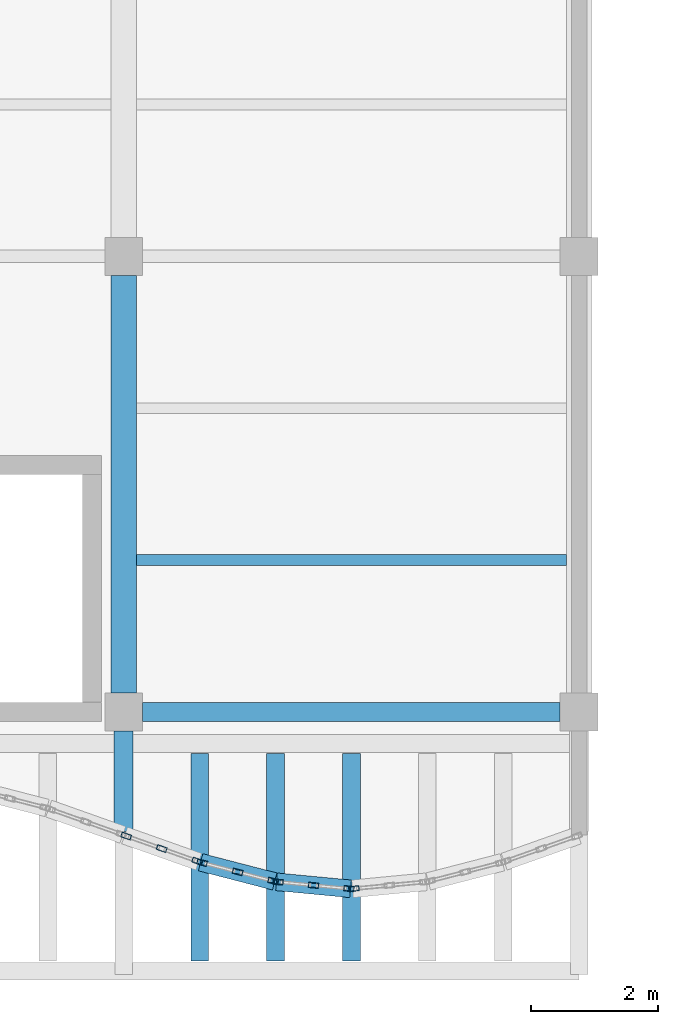
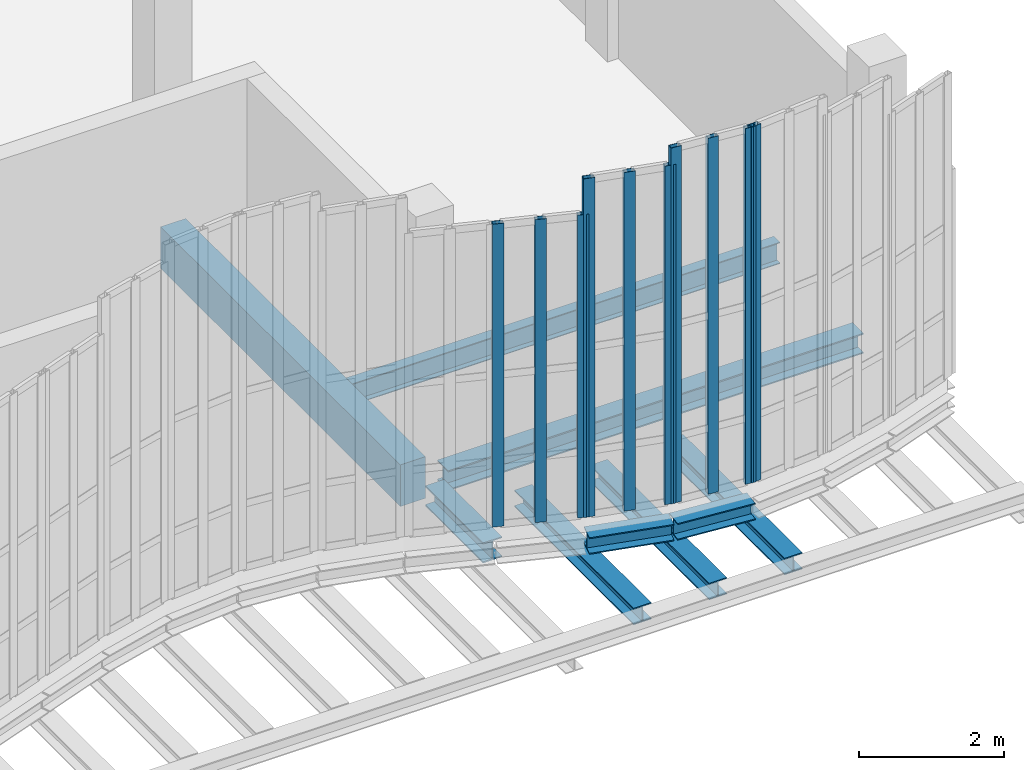
# One storey, part 25 of 76: 10 members, 9 beams, 4 elements without a shape of their own.
"""IFC4 building model written with IfcOpenShell, lengths in metres."""

from ifc_helpers import new_model, si_unit, direction, frame, origin, origin_2d, place, context, subcontext, project, spatial, rectangle, hollow_rectangle, i_section, extrude, material, layer, layer_set, material_profile, profile_set, type_object, element, aggregate, save


model = new_model("IFC4")

# Units and contexts
model_context = context("Model", 3, precision=1e-05, world=origin(), true_north=direction((0.0, 1.0)))
body_context = subcontext(model_context, "Body", "Model", "MODEL_VIEW")
ifc_project = project(units=[si_unit("LENGTHUNIT", "METRE"), si_unit("AREAUNIT", "SQUARE_METRE"), si_unit("VOLUMEUNIT", "CUBIC_METRE"), si_unit("PLANEANGLEUNIT", "RADIAN"), si_unit("MASSUNIT", "GRAM", prefix="KILO"), si_unit("THERMODYNAMICTEMPERATUREUNIT", "KELVIN"), si_unit("POWERUNIT", "WATT")], contexts=[model_context])

# Site, building, storey
site_placement = place(None, origin())
site = spatial("IfcSite", under=ifc_project, at=site_placement, CompositionType="ELEMENT")
building_placement = place(site_placement, origin())
building = spatial("IfcBuilding", under=site, at=building_placement, Name="Kaldorven Railside Theatre", CompositionType="ELEMENT")
storey_placement = place(building_placement, frame((0.0, 0.0, 14.39990234375)))
storey = spatial("IfcBuildingStorey", under=building, at=storey_placement, Name="L03", CompositionType="ELEMENT", Elevation=14.39990234375)

# Beams
ifc_material_1 = material(Name="Steel S355", Category="steel")
ifc_material_profile_1 = material_profile(ifc_material_1, i_section(OverallWidth=0.280029296875, OverallDepth=0.280029296875, WebThickness=0.010498046875, FlangeThickness=0.01806640625, at=origin_2d()), Name="HEB 280")
ifc_profile_set_1 = profile_set([ifc_material_profile_1], Name="Steel S355")
beam_type_1 = type_object("IfcBeamType", Name="BM-HEB280", PredefinedType="SPANDREL", material=ifc_profile_set_1)
beam_1_placement = place(storey_placement, frame((117.214599609375, 16.8212890625, -0.419921875), z_axis=(0.967967836725, -0.251074226206, 0.0), x_axis=(0.251074226206, 0.967967836725, 0.0)))
element("IfcBeam", 1, at=beam_1_placement, inside=storey, type_object=beam_type_1, Name="L03 Sinusoidal Flute Edge Spandrel FSB-212", PredefinedType="SPANDREL", context=body_context, shape_type="SweptSolid", body=[
    extrude(i_section(OverallWidth=0.280029296875, OverallDepth=0.280029296875, WebThickness=0.010498046875, FlangeThickness=0.01806640625, at=origin_2d()), origin(), (0.0, 0.0, 1.0), 1.209716796875),
])
beam_2_placement = place(storey_placement, frame((117.199951171875, 15.260009765625, -0.699951171875), z_axis=(0.0, 1.0, 0.0), x_axis=(-1.0, 0.0, 0.0)))
element("IfcBeam", 2, at=beam_2_placement, inside=storey, type_object=beam_type_1, Name="L03 Sinusoidal Diaphragm Rib Outrigger FOB-M212", PredefinedType="SPANDREL", context=body_context, shape_type="SweptSolid", body=[
    extrude(i_section(OverallWidth=0.280029296875, OverallDepth=0.280029296875, WebThickness=0.010498046875, FlangeThickness=0.01806640625, at=origin_2d()), origin(), (0.0, 0.0, 1.0), 3.280029296875),
])
beam_3_placement = place(storey_placement, frame((118.414794921875, 16.512451171875, -0.419921875), z_axis=(0.995526219207, -0.09448569665, 0.0), x_axis=(0.09448569665, 0.995526219207, 0.0)))
element("IfcBeam", 3, at=beam_3_placement, inside=storey, type_object=beam_type_1, Name="L03 Sinusoidal Flute Edge Spandrel FSB-213", PredefinedType="SPANDREL", context=body_context, shape_type="SweptSolid", body=[
    extrude(i_section(OverallWidth=0.280029296875, OverallDepth=0.280029296875, WebThickness=0.010498046875, FlangeThickness=0.01806640625, at=origin_2d()), origin(), (0.0, 0.0, 1.0), 1.17578125),
])
for number, where, z_axis, x_axis, name in (
    (4, (118.39990234375, 15.260009765625, -0.699951171875), (0.0, 1.0, 0.0), (-1.0, 0.0, 0.0), "L03 Sinusoidal Diaphragm Rib Outrigger FOB-M213"),
    (5, (119.60009765625, 15.260009765625, -0.699951171875), (0.0, 1.0, 0.0), (-1.0, 0.0, 0.0), "L03 Sinusoidal Diaphragm Rib Outrigger FOB-M214"),
):
    element("IfcBeam", number, at=place(storey_placement, frame(where, z_axis=z_axis, x_axis=x_axis)), inside=storey, type_object=beam_type_1, Name=name, PredefinedType="SPANDREL", context=body_context, shape_type="SweptSolid", body=[
        extrude(i_section(OverallWidth=0.280029296875, OverallDepth=0.280029296875, WebThickness=0.010498046875, FlangeThickness=0.01806640625, at=origin_2d()), origin(), (0.0, 0.0, 1.0), 3.280029296875),
    ])
ifc_material_profile_2 = material_profile(ifc_material_1, i_section(OverallWidth=0.300048828125, OverallDepth=0.340087890625, WebThickness=0.011962890625, FlangeThickness=0.021484375, at=origin_2d()), Name="HEB 340")
ifc_profile_set_2 = profile_set([ifc_material_profile_2], Name="Steel S355")
beam_type_2 = type_object("IfcBeamType", Name="BM-HEB340", PredefinedType="SPANDREL", material=ifc_profile_set_2)
beam_4_placement = place(storey_placement, frame((116.300048828125, 19.199951171875, -0.449951171875), z_axis=(1.0, 0.0, 0.0), x_axis=(0.0, 1.0, 0.0)))
element("IfcBeam", 6, at=beam_4_placement, inside=storey, type_object=beam_type_2, Name="L03 Girder BGX-L03-116-019", PredefinedType="SPANDREL", context=body_context, shape_type="SweptSolid", body=[
    extrude(i_section(OverallWidth=0.300048828125, OverallDepth=0.340087890625, WebThickness=0.011962890625, FlangeThickness=0.021484375, at=origin_2d()), origin(), (0.0, 0.0, 1.0), 6.599853515625),
])
beam_5_placement = place(storey_placement, frame((116.0, 17.31005859375, -0.449951171875), z_axis=(0.0, 1.0, 0.0), x_axis=(-1.0, 0.0, 0.0)))
element("IfcBeam", 7, at=beam_5_placement, inside=storey, type_object=beam_type_2, Name="L03 Sinusoidal Veil Outrigger FOB-3116", PredefinedType="SPANDREL", context=body_context, shape_type="SweptSolid", body=[
    extrude(i_section(OverallWidth=0.300048828125, OverallDepth=0.340087890625, WebThickness=0.011962890625, FlangeThickness=0.021484375, at=origin_2d()), origin(), (0.0, 0.0, 1.0), 1.58984375),
])
ifc_material_profile_3 = material_profile(ifc_material_1, i_section(OverallWidth=0.169921875, OverallDepth=0.360107421875, WebThickness=0.008056640625, FlangeThickness=0.0126953125, at=origin_2d()), Name="IPE 360")
ifc_profile_set_3 = profile_set([ifc_material_profile_3], Name="Steel S355")
beam_type_3 = type_object("IfcBeamType", Name="BM-IPE360", PredefinedType="JOIST", material=ifc_profile_set_3)
beam_6_placement = place(storey_placement, frame((116.199951171875, 21.60009765625, -0.4599609375), z_axis=(1.0, 0.0, 0.0), x_axis=(0.0, 1.0, 0.0)))
element("IfcBeam", 8, at=beam_6_placement, inside=storey, type_object=beam_type_3, Name="L03 Secondary Floor Joist JG-L03-116-0216", PredefinedType="JOIST", context=body_context, shape_type="SweptSolid", body=[
    extrude(i_section(OverallWidth=0.169921875, OverallDepth=0.360107421875, WebThickness=0.008056640625, FlangeThickness=0.0126953125, at=origin_2d()), origin(), (0.0, 0.0, 1.0), 6.800048828125),
])
ifc_material_2 = material(Name="Concrete C40/50", Category="concrete")
ifc_material_profile_4 = material_profile(ifc_material_2, rectangle(XDim=0.39990234375, YDim=0.699951171875, at=origin_2d()), Name="RC 400x700")
ifc_profile_set_4 = profile_set([ifc_material_profile_4], Name="Concrete C40/50")
beam_type_4 = type_object("IfcBeamType", Name="BM-RC400x700", PredefinedType="BEAM", material=ifc_profile_set_4)
beam_7_placement = place(storey_placement, frame((116.0, 19.5, -0.6298828125), z_axis=(0.0, 1.0, 0.0), x_axis=(-1.0, 0.0, 0.0)))
element("IfcBeam", 9, at=beam_7_placement, inside=storey, type_object=beam_type_4, Name="L03 Girder BGY-L03-116-019-72", PredefinedType="BEAM", context=body_context, shape_type="SweptSolid", body=[
    extrude(rectangle(XDim=0.39990234375, YDim=0.699951171875, at=origin_2d()), origin(), (0.0, 0.0, 1.0), 6.60009765625),
])

# Curtain wall, members
ifc_material_3 = material(Name="Low-E laminated solar-control glass", Category="glass")
ifc_layer_1 = layer(ifc_material_3, 0.159912109375, Name="Low-E laminated solar-control glass")
ifc_layer_set_1 = layer_set([ifc_layer_1], Name="Low-E laminated solar-control glass")
curtain_wall_type_1 = type_object("IfcCurtainWallType", Name="CWT-08", PredefinedType="USERDEFINED", material=ifc_layer_set_1)
curtain_wall_1_placement = place(storey_placement, origin())
curtain_wall_1 = element("IfcCurtainWall", 10, at=curtain_wall_1_placement, inside=storey, type_object=curtain_wall_type_1, Name="Sinusoidal Fluted Curtain Wall CW-L03-S67", ObjectType="FLUTED GLAZING", PredefinedType="USERDEFINED")
ifc_material_4 = material(Name="Anodised bronze aluminium", Category="aluminium")
ifc_material_profile_5 = material_profile(ifc_material_4, hollow_rectangle(XDim=0.080078125, YDim=0.159912109375, WallThickness=0.00634765625, at=origin_2d()), Name="RHS 160x80x6.3")
ifc_profile_set_5 = profile_set([ifc_material_profile_5], Name="Anodised bronze aluminium")
member_type = type_object("IfcMemberType", Name="CWM-160", PredefinedType="MULLION", material=ifc_profile_set_5)
member_1_placement = place(storey_placement, frame((116.03759765625, 17.236572265625, 0.0), z_axis=(0.0, 0.0, 1.0), x_axis=(0.33384714225, 0.942627225159, 0.0)))
member_1 = element("IfcMember", 11, at=member_1_placement, type_object=member_type, Name="CW-L03-S67 mullion 1", PredefinedType="MULLION", context=body_context, shape_type="SweptSolid", body=[
    extrude(hollow_rectangle(XDim=0.080078125, YDim=0.159912109375, WallThickness=0.00634765625, at=origin_2d()), origin(), (0.0, 0.0, 1.0), 5.090087890625),
])
member_2_placement = place(storey_placement, frame((116.60009765625, 17.03759765625, 0.0), z_axis=(0.0, 0.0, 1.0), x_axis=(0.33384714225, 0.942627225159, 0.0)))
member_2 = element("IfcMember", 12, at=member_2_placement, type_object=member_type, Name="CW-L03-S67 mullion 2", PredefinedType="MULLION", context=body_context, shape_type="SweptSolid", body=[
    extrude(hollow_rectangle(XDim=0.080078125, YDim=0.159912109375, WallThickness=0.00634765625, at=origin_2d()), origin(), (0.0, 0.0, 1.0), 5.090087890625),
])
member_3_placement = place(storey_placement, frame((117.162353515625, 16.83837890625, 0.0), z_axis=(0.0, 0.0, 1.0), x_axis=(0.33384714225, 0.942627225159, 0.0)))
member_3 = element("IfcMember", 13, at=member_3_placement, type_object=member_type, Name="CW-L03-S67 mullion 3", PredefinedType="MULLION", context=body_context, shape_type="SweptSolid", body=[
    extrude(hollow_rectangle(XDim=0.080078125, YDim=0.159912109375, WallThickness=0.00634765625, at=origin_2d()), origin(), (0.0, 0.0, 1.0), 5.090087890625),
])
aggregate(curtain_wall_1, [member_1, member_2, member_3])

ifc_layer_2 = layer(ifc_material_3, 0.159912109375, Name="Low-E laminated solar-control glass")
ifc_layer_set_2 = layer_set([ifc_layer_2], Name="Low-E laminated solar-control glass")
curtain_wall_type_2 = type_object("IfcCurtainWallType", Name="CWT-09", PredefinedType="USERDEFINED", material=ifc_layer_set_2)
curtain_wall_2_placement = place(storey_placement, origin())
curtain_wall_2 = element("IfcCurtainWall", 14, at=curtain_wall_2_placement, inside=storey, type_object=curtain_wall_type_2, Name="Sinusoidal Fluted Curtain Wall CW-L03-S68", ObjectType="FLUTED GLAZING", PredefinedType="USERDEFINED")
member_4_placement = place(storey_placement, frame((117.23876953125, 16.81494140625, 0.0), z_axis=(0.0, 0.0, 1.0), x_axis=(0.250953760326, 0.967999075505, 0.0)))
member_4 = element("IfcMember", 15, at=member_4_placement, type_object=member_type, Name="CW-L03-S68 mullion 1", PredefinedType="MULLION", context=body_context, shape_type="SweptSolid", body=[
    extrude(hollow_rectangle(XDim=0.080078125, YDim=0.159912109375, WallThickness=0.00634765625, at=origin_2d()), origin(), (0.0, 0.0, 1.0), 5.690185546875),
])
member_5_placement = place(storey_placement, frame((117.800048828125, 16.66943359375, 0.0), z_axis=(0.0, 0.0, 1.0), x_axis=(0.250953760326, 0.967999075505, 0.0)))
member_5 = element("IfcMember", 16, at=member_5_placement, type_object=member_type, Name="CW-L03-S68 mullion 2", PredefinedType="MULLION", context=body_context, shape_type="SweptSolid", body=[
    extrude(hollow_rectangle(XDim=0.080078125, YDim=0.159912109375, WallThickness=0.00634765625, at=origin_2d()), origin(), (0.0, 0.0, 1.0), 5.690185546875),
])
member_6_placement = place(storey_placement, frame((118.361328125, 16.52392578125, 0.0), z_axis=(0.0, 0.0, 1.0), x_axis=(0.250953760326, 0.967999075505, 0.0)))
member_6 = element("IfcMember", 17, at=member_6_placement, type_object=member_type, Name="CW-L03-S68 mullion 3", PredefinedType="MULLION", context=body_context, shape_type="SweptSolid", body=[
    extrude(hollow_rectangle(XDim=0.080078125, YDim=0.159912109375, WallThickness=0.00634765625, at=origin_2d()), origin(), (0.0, 0.0, 1.0), 5.690185546875),
])
aggregate(curtain_wall_2, [member_4, member_5, member_6])

ifc_layer_3 = layer(ifc_material_3, 0.159912109375, Name="Low-E laminated solar-control glass")
ifc_layer_set_3 = layer_set([ifc_layer_3], Name="Low-E laminated solar-control glass")
curtain_wall_type_3 = type_object("IfcCurtainWallType", Name="CWT-10", PredefinedType="USERDEFINED", material=ifc_layer_set_3)
curtain_wall_3_placement = place(storey_placement, origin())
curtain_wall_3 = element("IfcCurtainWall", 18, at=curtain_wall_3_placement, inside=storey, type_object=curtain_wall_type_3, Name="Sinusoidal Fluted Curtain Wall CW-L03-S69", ObjectType="FLUTED GLAZING", PredefinedType="USERDEFINED")
member_7_placement = place(storey_placement, frame((118.43994140625, 16.510009765625, 0.0), z_axis=(0.0, 0.0, 1.0), x_axis=(0.094491973758, 0.995525623425, 0.0)))
member_7 = element("IfcMember", 19, at=member_7_placement, type_object=member_type, Name="CW-L03-S69 mullion 1", PredefinedType="MULLION", context=body_context, shape_type="SweptSolid", body=[
    extrude(hollow_rectangle(XDim=0.080078125, YDim=0.159912109375, WallThickness=0.00634765625, at=origin_2d()), origin(), (0.0, 0.0, 1.0), 5.97998046875),
])
member_8_placement = place(storey_placement, frame((119.0, 16.45703125, 0.0), z_axis=(0.0, 0.0, 1.0), x_axis=(0.094491973758, 0.995525623425, 0.0)))
member_8 = element("IfcMember", 20, at=member_8_placement, type_object=member_type, Name="CW-L03-S69 mullion 2", PredefinedType="MULLION", context=body_context, shape_type="SweptSolid", body=[
    extrude(hollow_rectangle(XDim=0.080078125, YDim=0.159912109375, WallThickness=0.00634765625, at=origin_2d()), origin(), (0.0, 0.0, 1.0), 5.97998046875),
])
member_9_placement = place(storey_placement, frame((119.56005859375, 16.40380859375, 0.0), z_axis=(0.0, 0.0, 1.0), x_axis=(0.094491973758, 0.995525623425, 0.0)))
member_9 = element("IfcMember", 21, at=member_9_placement, type_object=member_type, Name="CW-L03-S69 mullion 3", PredefinedType="MULLION", context=body_context, shape_type="SweptSolid", body=[
    extrude(hollow_rectangle(XDim=0.080078125, YDim=0.159912109375, WallThickness=0.00634765625, at=origin_2d()), origin(), (0.0, 0.0, 1.0), 5.97998046875),
])
aggregate(curtain_wall_3, [member_7, member_8, member_9])

# Curtain wall, member
curtain_wall_4_placement = place(storey_placement, origin())
curtain_wall_4 = element("IfcCurtainWall", 22, at=curtain_wall_4_placement, inside=storey, type_object=curtain_wall_type_3, Name="Sinusoidal Fluted Curtain Wall CW-L03-S70", ObjectType="FLUTED GLAZING", PredefinedType="USERDEFINED")
member_10_placement = place(storey_placement, frame((119.639892578125, 16.40380859375, 0.0), z_axis=(0.0, 0.0, 1.0), x_axis=(-0.094491973758, 0.995525623425, 0.0)))
member_10 = element("IfcMember", 23, at=member_10_placement, type_object=member_type, Name="CW-L03-S70 mullion 1", PredefinedType="MULLION", context=body_context, shape_type="SweptSolid", body=[
    extrude(hollow_rectangle(XDim=0.080078125, YDim=0.159912109375, WallThickness=0.00634765625, at=origin_2d()), origin(), (0.0, 0.0, 1.0), 5.97998046875),
])
aggregate(curtain_wall_4, [member_10])

save(model, "model.ifc")
